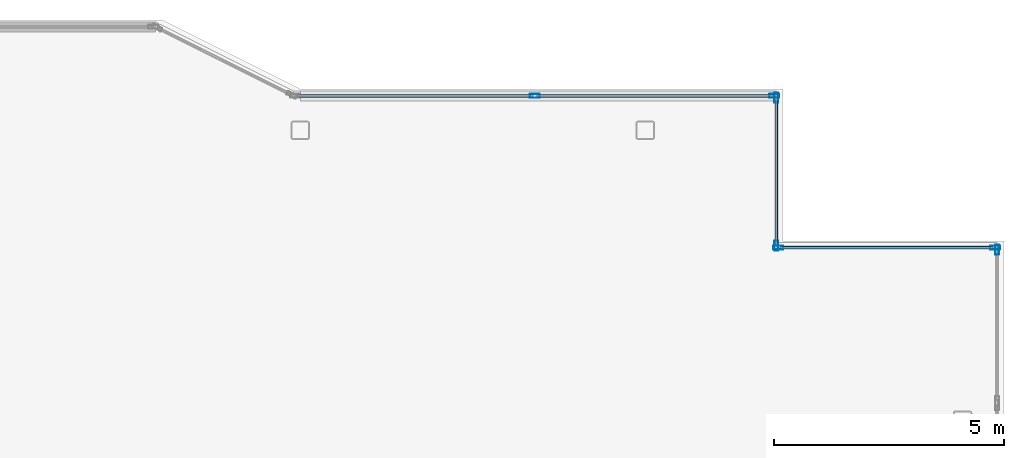
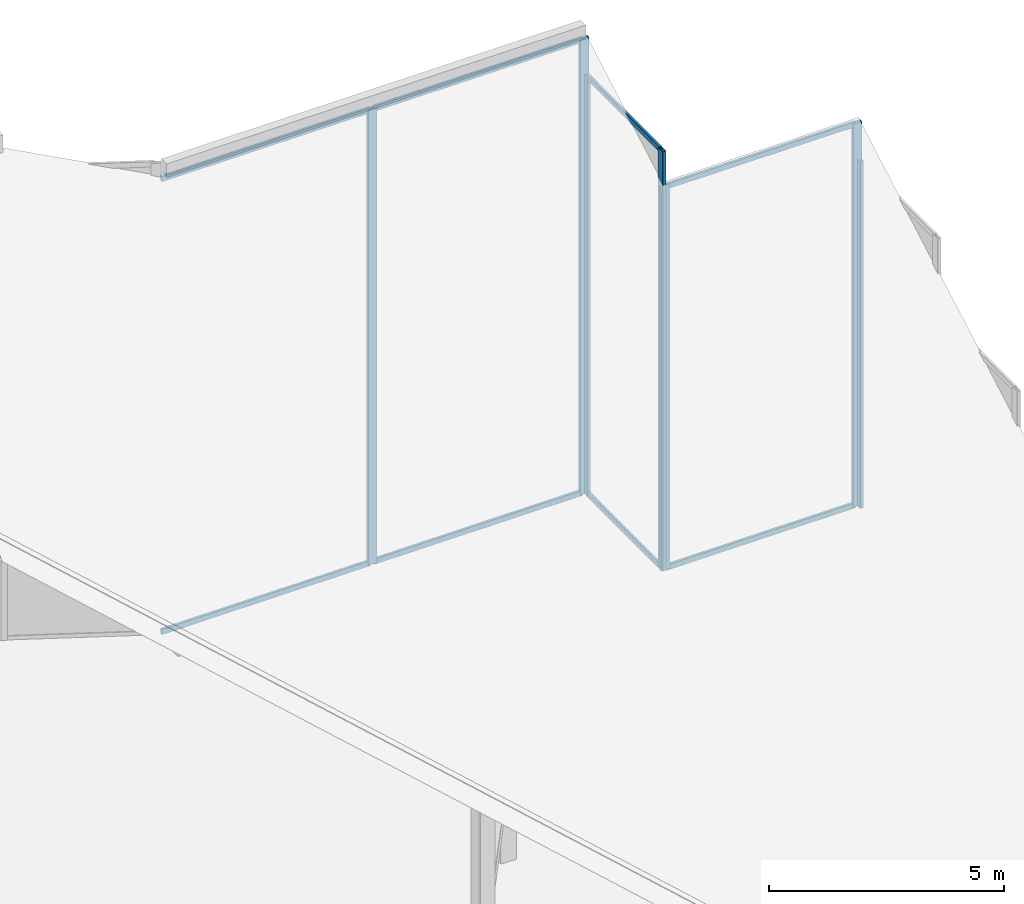
# One storey, part 7 of 11: 15 members, 4 elements without a shape of their own.
"""IFC4 building model written with IfcOpenShell, lengths in metres."""

from ifc_helpers import new_model, si_unit, direction, frame, origin, origin_2d, place, context, subcontext, project, spatial, hollow_rectangle, extrude, material, layer, layer_set, material_profile, profile_set, type_object, element, aggregate, save


model = new_model("IFC4")

# Units and contexts
model_context = context("Model", 3, precision=1e-05, world=origin(), true_north=direction((0.0, 1.0)))
body_context = subcontext(model_context, "Body", "Model", "MODEL_VIEW")
ifc_project = project(units=[si_unit("LENGTHUNIT", "METRE"), si_unit("AREAUNIT", "SQUARE_METRE"), si_unit("VOLUMEUNIT", "CUBIC_METRE"), si_unit("PLANEANGLEUNIT", "RADIAN"), si_unit("MASSUNIT", "GRAM", prefix="KILO")], contexts=[model_context])

# Site, building, storey
site_placement = place(None, origin())
site = spatial("IfcSite", under=ifc_project, at=site_placement, CompositionType="ELEMENT")
building_placement = place(site_placement, origin())
building = spatial("IfcBuilding", under=site, at=building_placement, Name="Tarnavaz Court Tower", CompositionType="ELEMENT")
storey_placement = place(building_placement, frame((0.0, 0.0, 304.050048828125)))
storey = spatial("IfcBuildingStorey", under=building, at=storey_placement, Name="C06", CompositionType="ELEMENT", Elevation=304.050048828125)

# Curtain wall, members
ifc_material_1 = material(Name="Anodised Aluminium 6063-T6 and Solar Low-E Glazing", Category="aluminium")
ifc_layer = layer(ifc_material_1, 0.2099609375)
ifc_layer_set = layer_set([ifc_layer], Name="Anodised Aluminium 6063-T6 and Solar Low-E Glazing")
curtain_wall_type = type_object("IfcCurtainWallType", Name="CW-SYS-06", PredefinedType="NOTDEFINED", material=ifc_layer_set)
curtain_wall_1_placement = place(storey_placement, origin())
curtain_wall_1 = element("IfcCurtainWall", 1, at=curtain_wall_1_placement, inside=storey, type_object=curtain_wall_type, Name="C06 Slanted Crown Terracotta Curtain Wall 7", PredefinedType="NOTDEFINED")
ifc_material_2 = material(Name="Anodised Aluminium 6063-T6", Category="aluminium")
ifc_material_profile_1 = material_profile(ifc_material_2, hollow_rectangle(XDim=0.0849609375, YDim=0.219970703125, WallThickness=0.006103515625, InnerFilletRadius=0.006103515625, OuterFilletRadius=0.011962890625, at=origin_2d()), Name="ALU RHS 220X85X6")
ifc_profile_set_1 = profile_set([ifc_material_profile_1], Name="Anodised Aluminium 6063-T6")
member_type_1 = type_object("IfcMemberType", Name="CW-MUL-220", PredefinedType="MULLION", material=ifc_profile_set_1)
member_1_placement = place(storey_placement, frame((12.60009765625, 20.85009765625, 0.0), z_axis=(0.0, 0.0, 1.0), x_axis=(0.0, 1.0, 0.0)))
member_1 = element("IfcMember", 2, at=member_1_placement, type_object=member_type_1, Name="CW mullion 2", PredefinedType="MULLION", context=body_context, shape_type="SweptSolid", body=[
    extrude(hollow_rectangle(XDim=0.0849609375, YDim=0.219970703125, WallThickness=0.006103515625, InnerFilletRadius=0.006103515625, OuterFilletRadius=0.011962890625, at=origin_2d()), origin(), (0.0, 0.0, 1.0), 11.82666015625),
])
member_2_placement = place(storey_placement, frame((17.8076171875, 20.85009765625, 0.0), z_axis=(0.0, 0.0, 1.0), x_axis=(0.0, 1.0, 0.0)))
member_2 = element("IfcMember", 3, at=member_2_placement, type_object=member_type_1, Name="CW mullion 3", PredefinedType="MULLION", context=body_context, shape_type="SweptSolid", body=[
    extrude(hollow_rectangle(XDim=0.0849609375, YDim=0.219970703125, WallThickness=0.006103515625, InnerFilletRadius=0.006103515625, OuterFilletRadius=0.011962890625, at=origin_2d()), origin(), (0.0, 0.0, 1.0), 11.82666015625),
])

curtain_wall_2_placement = place(storey_placement, origin())
curtain_wall_2 = element("IfcCurtainWall", 4, at=curtain_wall_2_placement, inside=storey, type_object=curtain_wall_type, Name="C06 Slanted Crown Terracotta Curtain Wall 8", PredefinedType="NOTDEFINED")
member_3_placement = place(storey_placement, frame((17.85009765625, 20.8076171875, 0.0), z_axis=(0.0, 0.0, 1.0), x_axis=(1.0, 0.0, 0.0)))
member_3 = element("IfcMember", 5, at=member_3_placement, type_object=member_type_1, Name="CW mullion 1", PredefinedType="MULLION", context=body_context, shape_type="SweptSolid", body=[
    extrude(hollow_rectangle(XDim=0.0849609375, YDim=0.219970703125, WallThickness=0.006103515625, InnerFilletRadius=0.006103515625, OuterFilletRadius=0.011962890625, at=origin_2d()), origin(), (0.0, 0.0, 1.0), 10.8935546875),
])
member_4_placement = place(storey_placement, frame((17.85009765625, 17.592529296875, 0.0), z_axis=(0.0, 0.0, 1.0), x_axis=(1.0, 0.0, 0.0)))
member_4 = element("IfcMember", 6, at=member_4_placement, type_object=member_type_1, Name="CW mullion 2", PredefinedType="MULLION", context=body_context, shape_type="SweptSolid", body=[
    extrude(hollow_rectangle(XDim=0.0849609375, YDim=0.219970703125, WallThickness=0.006103515625, InnerFilletRadius=0.006103515625, OuterFilletRadius=0.011962890625, at=origin_2d()), origin(), (0.0, 0.0, 1.0), 10.8935546875),
])

curtain_wall_3_placement = place(storey_placement, origin())
curtain_wall_3 = element("IfcCurtainWall", 7, at=curtain_wall_3_placement, inside=storey, type_object=curtain_wall_type, Name="C06 Slanted Crown Terracotta Curtain Wall 9", PredefinedType="NOTDEFINED")
member_5_placement = place(storey_placement, frame((17.892578125, 17.550048828125, 0.0), z_axis=(0.0, 0.0, 1.0), x_axis=(0.0, 1.0, 0.0)))
member_5 = element("IfcMember", 8, at=member_5_placement, type_object=member_type_1, Name="CW mullion 1", PredefinedType="MULLION", context=body_context, shape_type="SweptSolid", body=[
    extrude(hollow_rectangle(XDim=0.0849609375, YDim=0.219970703125, WallThickness=0.006103515625, InnerFilletRadius=0.006103515625, OuterFilletRadius=0.011962890625, at=origin_2d()), origin(), (0.0, 0.0, 1.0), 9.96044921875),
])
member_6_placement = place(storey_placement, frame((22.607421875, 17.550048828125, 0.0), z_axis=(0.0, 0.0, 1.0), x_axis=(0.0, 1.0, 0.0)))
member_6 = element("IfcMember", 9, at=member_6_placement, type_object=member_type_1, Name="CW mullion 2", PredefinedType="MULLION", context=body_context, shape_type="SweptSolid", body=[
    extrude(hollow_rectangle(XDim=0.0849609375, YDim=0.219970703125, WallThickness=0.006103515625, InnerFilletRadius=0.006103515625, OuterFilletRadius=0.011962890625, at=origin_2d()), origin(), (0.0, 0.0, 1.0), 9.96044921875),
])

# Curtain wall, member
curtain_wall_4_placement = place(storey_placement, origin())
curtain_wall_4 = element("IfcCurtainWall", 10, at=curtain_wall_4_placement, inside=storey, type_object=curtain_wall_type, Name="C06 Slanted Crown Terracotta Curtain Wall 10", PredefinedType="NOTDEFINED")
member_7_placement = place(storey_placement, frame((22.64990234375, 17.507568359375, 0.0), z_axis=(0.0, 0.0, 1.0), x_axis=(1.0, 0.0, 0.0)))
member_7 = element("IfcMember", 11, at=member_7_placement, type_object=member_type_1, Name="CW mullion 1", PredefinedType="MULLION", context=body_context, shape_type="SweptSolid", body=[
    extrude(hollow_rectangle(XDim=0.0849609375, YDim=0.219970703125, WallThickness=0.006103515625, InnerFilletRadius=0.006103515625, OuterFilletRadius=0.011962890625, at=origin_2d()), origin(), (0.0, 0.0, 1.0), 9.004638671875),
])
aggregate(curtain_wall_4, [member_7])

# Member
ifc_material_profile_2 = material_profile(ifc_material_2, hollow_rectangle(XDim=0.06494140625, YDim=0.139892578125, WallThickness=0.00390625, InnerFilletRadius=0.00390625, OuterFilletRadius=0.008056640625, at=origin_2d()), Name="ALU RHS 140X65X4")
ifc_profile_set_2 = profile_set([ifc_material_profile_2], Name="Anodised Aluminium 6063-T6")
member_type_2 = type_object("IfcMemberType", Name="CW-TRN-140", PredefinedType="USERDEFINED", material=ifc_profile_set_2)
member_8_placement = place(storey_placement, frame((7.43505859375, 20.85009765625, 0.032470703125), z_axis=(1.0, 0.0, 0.0), x_axis=(0.0, 1.0, 0.0)))
member_8 = element("IfcMember", 12, at=member_8_placement, type_object=member_type_2, Name="CW transom 1.1", ObjectType="TRANSOM", PredefinedType="USERDEFINED", context=body_context, shape_type="SweptSolid", body=[
    extrude(hollow_rectangle(XDim=0.06494140625, YDim=0.139892578125, WallThickness=0.00390625, InnerFilletRadius=0.00390625, OuterFilletRadius=0.008056640625, at=origin_2d()), origin(), (0.0, 0.0, 1.0), 5.12255859375),
])

member_9_placement = place(storey_placement, frame((7.43505859375, 20.85009765625, 11.794189453125), z_axis=(1.0, 0.0, 0.0), x_axis=(0.0, 1.0, 0.0)))
member_9 = element("IfcMember", 13, at=member_9_placement, type_object=member_type_2, Name="CW transom 1.2", ObjectType="TRANSOM", PredefinedType="USERDEFINED", context=body_context, shape_type="SweptSolid", body=[
    extrude(hollow_rectangle(XDim=0.06494140625, YDim=0.139892578125, WallThickness=0.00390625, InnerFilletRadius=0.00390625, OuterFilletRadius=0.008056640625, at=origin_2d()), origin(), (0.0, 0.0, 1.0), 5.12255859375),
])

member_10_placement = place(storey_placement, frame((12.642578125, 20.85009765625, 0.032470703125), z_axis=(1.0, 0.0, 0.0), x_axis=(0.0, 1.0, 0.0)))
member_10 = element("IfcMember", 14, at=member_10_placement, type_object=member_type_2, Name="CW transom 2.1", ObjectType="TRANSOM", PredefinedType="USERDEFINED", context=body_context, shape_type="SweptSolid", body=[
    extrude(hollow_rectangle(XDim=0.06494140625, YDim=0.139892578125, WallThickness=0.00390625, InnerFilletRadius=0.00390625, OuterFilletRadius=0.008056640625, at=origin_2d()), origin(), (0.0, 0.0, 1.0), 5.122314453125),
])

member_11_placement = place(storey_placement, frame((12.642578125, 20.85009765625, 11.794189453125), z_axis=(1.0, 0.0, 0.0), x_axis=(0.0, 1.0, 0.0)))
member_11 = element("IfcMember", 15, at=member_11_placement, type_object=member_type_2, Name="CW transom 2.2", ObjectType="TRANSOM", PredefinedType="USERDEFINED", context=body_context, shape_type="SweptSolid", body=[
    extrude(hollow_rectangle(XDim=0.06494140625, YDim=0.139892578125, WallThickness=0.00390625, InnerFilletRadius=0.00390625, OuterFilletRadius=0.008056640625, at=origin_2d()), origin(), (0.0, 0.0, 1.0), 5.122314453125),
])

aggregate(curtain_wall_1, [member_1, member_2, member_8, member_9, member_10, member_11])

member_12_placement = place(storey_placement, frame((17.85009765625, 20.764892578125, 0.032470703125), z_axis=(0.0, -1.0, 0.0), x_axis=(1.0, 0.0, 0.0)))
member_12 = element("IfcMember", 16, at=member_12_placement, type_object=member_type_2, Name="CW transom 1.1", ObjectType="TRANSOM", PredefinedType="USERDEFINED", context=body_context, shape_type="SweptSolid", body=[
    extrude(hollow_rectangle(XDim=0.06494140625, YDim=0.139892578125, WallThickness=0.00390625, InnerFilletRadius=0.00390625, OuterFilletRadius=0.008056640625, at=origin_2d()), origin(), (0.0, 0.0, 1.0), 3.1298828125),
])

member_13_placement = place(storey_placement, frame((17.85009765625, 20.764892578125, 10.861083984375), z_axis=(0.0, -1.0, 0.0), x_axis=(1.0, 0.0, 0.0)))
member_13 = element("IfcMember", 17, at=member_13_placement, type_object=member_type_2, Name="CW transom 1.2", ObjectType="TRANSOM", PredefinedType="USERDEFINED", context=body_context, shape_type="SweptSolid", body=[
    extrude(hollow_rectangle(XDim=0.06494140625, YDim=0.139892578125, WallThickness=0.00390625, InnerFilletRadius=0.00390625, OuterFilletRadius=0.008056640625, at=origin_2d()), origin(), (0.0, 0.0, 1.0), 3.1298828125),
])

aggregate(curtain_wall_2, [member_3, member_4, member_12, member_13])

member_14_placement = place(storey_placement, frame((17.93505859375, 17.550048828125, 0.032470703125), z_axis=(1.0, 0.0, 0.0), x_axis=(0.0, 1.0, 0.0)))
member_14 = element("IfcMember", 18, at=member_14_placement, type_object=member_type_2, Name="CW transom 1.1", ObjectType="TRANSOM", PredefinedType="USERDEFINED", context=body_context, shape_type="SweptSolid", body=[
    extrude(hollow_rectangle(XDim=0.06494140625, YDim=0.139892578125, WallThickness=0.00390625, InnerFilletRadius=0.00390625, OuterFilletRadius=0.008056640625, at=origin_2d()), origin(), (0.0, 0.0, 1.0), 4.6298828125),
])

member_15_placement = place(storey_placement, frame((17.93505859375, 17.550048828125, 9.927978515625), z_axis=(1.0, 0.0, 0.0), x_axis=(0.0, 1.0, 0.0)))
member_15 = element("IfcMember", 19, at=member_15_placement, type_object=member_type_2, Name="CW transom 1.2", ObjectType="TRANSOM", PredefinedType="USERDEFINED", context=body_context, shape_type="SweptSolid", body=[
    extrude(hollow_rectangle(XDim=0.06494140625, YDim=0.139892578125, WallThickness=0.00390625, InnerFilletRadius=0.00390625, OuterFilletRadius=0.008056640625, at=origin_2d()), origin(), (0.0, 0.0, 1.0), 4.6298828125),
])

aggregate(curtain_wall_3, [member_5, member_6, member_14, member_15])

save(model, "model.ifc")
